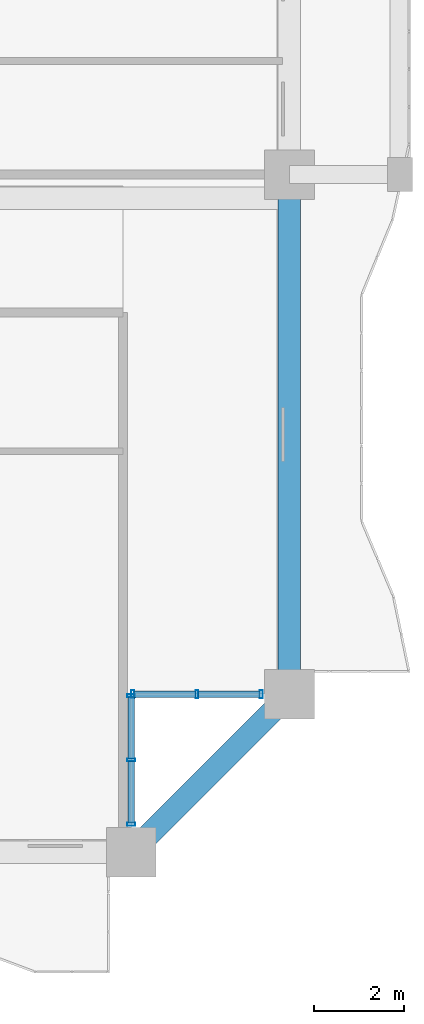
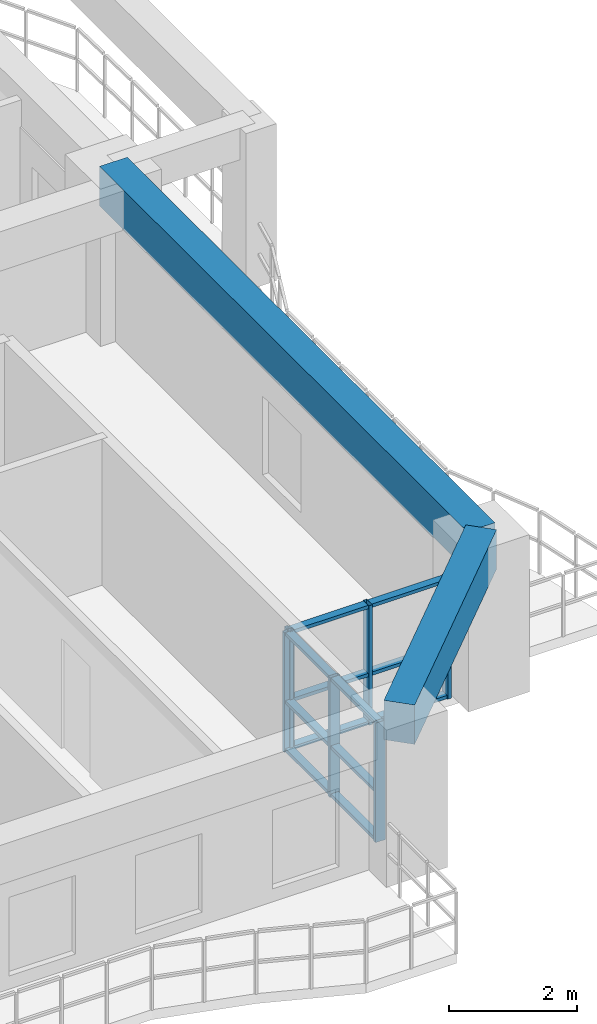
# One storey, part 4 of 28: 18 members, 2 beams, 2 elements without a shape of their own.
"""IFC4 building model written with IfcOpenShell, lengths in metres."""

from ifc_helpers import new_model, si_unit, direction, frame, origin, origin_2d, place, context, subcontext, project, spatial, rectangle, hollow_rectangle, extrude, source, transform, mapped, material, layer, layer_set, material_profile, profile_set, type_object, element, aggregate, save


model = new_model("IFC4")

# Units and contexts
model_context = context("Model", 3, precision=1e-05, world=origin(), true_north=direction((0.0, 1.0)))
body_context = subcontext(model_context, "Body", "Model", "MODEL_VIEW")
ifc_project = project(units=[si_unit("LENGTHUNIT", "METRE"), si_unit("AREAUNIT", "SQUARE_METRE"), si_unit("VOLUMEUNIT", "CUBIC_METRE"), si_unit("PLANEANGLEUNIT", "RADIAN"), si_unit("MASSUNIT", "GRAM", prefix="KILO")], contexts=[model_context])

# Site, building, storey
site_placement = place(None, origin())
site = spatial("IfcSite", under=ifc_project, at=site_placement, CompositionType="ELEMENT")
building_placement = place(site_placement, origin())
building = spatial("IfcBuilding", under=site, at=building_placement, Name="Saelheon Loggia Tower", CompositionType="ELEMENT")
storey_placement = place(building_placement, frame((0.0, 0.0, 25.39990234375)))
storey = spatial("IfcBuildingStorey", under=building, at=storey_placement, Name="L07", CompositionType="ELEMENT", Elevation=25.39990234375)

# Beams
ifc_material_1 = material(Name="Concrete C45/55", Category="concrete")
ifc_material_profile_1 = material_profile(ifc_material_1, rectangle(XDim=0.5, YDim=0.75, at=origin_2d()), Name="RC-500x750")
ifc_profile_set_1 = profile_set([ifc_material_profile_1], Name="Concrete C45/55")
beam_type = type_object("IfcBeamType", Name="Beam_PerimGirder_RC500x750", PredefinedType="BEAM", material=ifc_profile_set_1)
shared_shape_1 = source(origin(), body_context, "Body", "SweptSolid", [
    extrude(rectangle(XDim=0.5, YDim=0.75, at=origin_2d()), origin(), (0.0, 0.0, 1.0), 4.94970703125),
])
beam_1_placement = place(storey_placement, frame((60.5, 3.0, 2.625), z_axis=(0.707106781187, 0.707106781187, 0.0), x_axis=(-0.707106781187, 0.707106781187, 0.0)))
element("IfcBeam", 1, at=beam_1_placement, inside=storey, type_object=beam_type, Name="L07 Perimeter Frame Girder 04", PredefinedType="BEAM", context=body_context, shape_type="MappedRepresentation", body=[
    mapped(shared_shape_1, transform((0.0, 0.0, 0.0), scale=1.0)),
])
shared_shape_2 = source(origin(), body_context, "Body", "SweptSolid", [
    extrude(rectangle(XDim=0.5, YDim=0.75, at=origin_2d()), origin(), (0.0, 0.0, 1.0), 11.5),
])
beam_2_placement = place(storey_placement, frame((64.0, 6.5, 2.625), z_axis=(0.0, 1.0, 0.0), x_axis=(-1.0, 0.0, 0.0)))
element("IfcBeam", 2, at=beam_2_placement, inside=storey, type_object=beam_type, Name="L07 Perimeter Frame Girder 05", PredefinedType="BEAM", context=body_context, shape_type="MappedRepresentation", body=[
    mapped(shared_shape_2, transform((0.0, 0.0, 0.0), scale=1.0)),
])

# Curtain wall, members
ifc_material_2 = material(Name="Thermal-Break Aluminium and Triple Low-E Glass", Category="aluminium")
ifc_layer = layer(ifc_material_2, 0.159912109375)
ifc_layer_set = layer_set([ifc_layer], Name="Thermal-Break Aluminium and Triple Low-E Glass")
curtain_wall_type = type_object("IfcCurtainWallType", Name="CW_TowerLoggiaLow", PredefinedType="NOTDEFINED", material=ifc_layer_set)
curtain_wall_1_placement = place(storey_placement, origin())
curtain_wall_1 = element("IfcCurtainWall", 3, at=curtain_wall_1_placement, inside=storey, type_object=curtain_wall_type, Name="L07 Corner Notch Glazing SE1", PredefinedType="NOTDEFINED")
ifc_material_3 = material(Name="Anodised Aluminium 6063-T6", Category="aluminium")
ifc_material_profile_2 = material_profile(ifc_material_3, hollow_rectangle(XDim=0.06494140625, YDim=0.179931640625, WallThickness=0.00390625, at=origin_2d()), Name="RHS-180x65x4")
ifc_profile_set_2 = profile_set([ifc_material_profile_2], Name="Anodised Aluminium 6063-T6")
member_type_1 = type_object("IfcMemberType", Name="CW_TowerLoggiaLow_Mullion", PredefinedType="MULLION", material=ifc_profile_set_2)
shared_shape_3 = source(origin(), body_context, "Body", "SweptSolid", [
    extrude(hollow_rectangle(XDim=0.06494140625, YDim=0.179931640625, WallThickness=0.00390625, at=origin_2d()), origin(), (0.0, 0.0, 1.0), 2.280029296875),
])
member_1_placement = place(storey_placement, frame((60.5, 3.62255859375, 0.0), z_axis=(0.0, 0.0, 1.0), x_axis=(0.0, 1.0, 0.0)))
member_1 = element("IfcMember", 4, at=member_1_placement, type_object=member_type_1, Name="CW3 mullion 1", PredefinedType="MULLION", context=body_context, shape_type="MappedRepresentation", body=[
    mapped(shared_shape_3, transform((0.0, 0.0, 0.0), scale=1.0)),
])
member_2_placement = place(storey_placement, frame((60.5, 5.044921875, 0.0), z_axis=(0.0, 0.0, 1.0), x_axis=(0.0, 1.0, 0.0)))
member_2 = element("IfcMember", 5, at=member_2_placement, type_object=member_type_1, Name="CW3 mullion 2", PredefinedType="MULLION", context=body_context, shape_type="MappedRepresentation", body=[
    mapped(shared_shape_3, transform((0.0, 0.0, 0.0), scale=1.0)),
])
member_3_placement = place(storey_placement, frame((60.5, 6.467529296875, 0.0), z_axis=(0.0, 0.0, 1.0), x_axis=(0.0, 1.0, 0.0)))
member_3 = element("IfcMember", 6, at=member_3_placement, type_object=member_type_1, Name="CW3 mullion 3", PredefinedType="MULLION", context=body_context, shape_type="MappedRepresentation", body=[
    mapped(shared_shape_3, transform((0.0, 0.0, 0.0), scale=1.0)),
])

curtain_wall_2_placement = place(storey_placement, origin())
curtain_wall_2 = element("IfcCurtainWall", 7, at=curtain_wall_2_placement, inside=storey, type_object=curtain_wall_type, Name="L07 Corner Notch Glazing SE2", PredefinedType="NOTDEFINED")
member_4_placement = place(storey_placement, frame((60.532470703125, 6.5, 0.0), z_axis=(0.0, 0.0, 1.0), x_axis=(1.0, 0.0, 0.0)))
member_4 = element("IfcMember", 8, at=member_4_placement, type_object=member_type_1, Name="CW3 mullion 1", PredefinedType="MULLION", context=body_context, shape_type="MappedRepresentation", body=[
    mapped(shared_shape_3, transform((0.0, 0.0, 0.0), scale=1.0)),
])
member_5_placement = place(storey_placement, frame((61.955078125, 6.5, 0.0), z_axis=(0.0, 0.0, 1.0), x_axis=(1.0, 0.0, 0.0)))
member_5 = element("IfcMember", 9, at=member_5_placement, type_object=member_type_1, Name="CW3 mullion 2", PredefinedType="MULLION", context=body_context, shape_type="MappedRepresentation", body=[
    mapped(shared_shape_3, transform((0.0, 0.0, 0.0), scale=1.0)),
])
member_6_placement = place(storey_placement, frame((63.37744140625, 6.5, 0.0), z_axis=(0.0, 0.0, 1.0), x_axis=(1.0, 0.0, 0.0)))
member_6 = element("IfcMember", 10, at=member_6_placement, type_object=member_type_1, Name="CW3 mullion 3", PredefinedType="MULLION", context=body_context, shape_type="MappedRepresentation", body=[
    mapped(shared_shape_3, transform((0.0, 0.0, 0.0), scale=1.0)),
])

# Member
ifc_material_profile_3 = material_profile(ifc_material_3, hollow_rectangle(XDim=0.06494140625, YDim=0.139892578125, WallThickness=0.00390625, at=origin_2d()), Name="RHS-140x65x4")
ifc_profile_set_3 = profile_set([ifc_material_profile_3], Name="Anodised Aluminium 6063-T6")
member_type_2 = type_object("IfcMemberType", Name="CW_TowerLoggiaLow_Transom", PredefinedType="USERDEFINED", material=ifc_profile_set_3)
shared_shape_4 = source(origin(), body_context, "Body", "SweptSolid", [
    extrude(hollow_rectangle(XDim=0.06494140625, YDim=0.139892578125, WallThickness=0.00390625, at=origin_2d()), origin(), (0.0, 0.0, 1.0), 1.357421875),
])
member_7_placement = place(storey_placement, frame((60.5, 3.655029296875, 0.03271484375), z_axis=(0.0, 1.0, 0.0), x_axis=(0.0, 0.0, 1.0)))
member_7 = element("IfcMember", 11, at=member_7_placement, type_object=member_type_2, Name="CW3 transom 1.1", ObjectType="TRANSOM", PredefinedType="USERDEFINED", context=body_context, shape_type="MappedRepresentation", body=[
    mapped(shared_shape_4, transform((0.0, 0.0, 0.0), scale=1.0)),
])

member_8_placement = place(storey_placement, frame((60.5, 3.655029296875, 0.9501953125), z_axis=(0.0, 1.0, 0.0), x_axis=(0.0, 0.0, 1.0)))
member_8 = element("IfcMember", 12, at=member_8_placement, type_object=member_type_2, Name="CW3 transom 1.2", ObjectType="TRANSOM", PredefinedType="USERDEFINED", context=body_context, shape_type="MappedRepresentation", body=[
    mapped(shared_shape_4, transform((0.0, 0.0, 0.0), scale=1.0)),
])

member_9_placement = place(storey_placement, frame((60.5, 3.655029296875, 2.24755859375), z_axis=(0.0, 1.0, 0.0), x_axis=(0.0, 0.0, 1.0)))
member_9 = element("IfcMember", 13, at=member_9_placement, type_object=member_type_2, Name="CW3 transom 1.3", ObjectType="TRANSOM", PredefinedType="USERDEFINED", context=body_context, shape_type="MappedRepresentation", body=[
    mapped(shared_shape_4, transform((0.0, 0.0, 0.0), scale=1.0)),
])

member_10_placement = place(storey_placement, frame((61.987548828125, 6.5, 0.03271484375), z_axis=(1.0, 0.0, 0.0), x_axis=(0.0, 0.0, 1.0)))
member_10 = element("IfcMember", 14, at=member_10_placement, type_object=member_type_2, Name="CW3 transom 2.1", ObjectType="TRANSOM", PredefinedType="USERDEFINED", context=body_context, shape_type="MappedRepresentation", body=[
    mapped(shared_shape_4, transform((0.0, 0.0, 0.0), scale=1.0)),
])

member_11_placement = place(storey_placement, frame((61.987548828125, 6.5, 0.9501953125), z_axis=(1.0, 0.0, 0.0), x_axis=(0.0, 0.0, 1.0)))
member_11 = element("IfcMember", 15, at=member_11_placement, type_object=member_type_2, Name="CW3 transom 2.2", ObjectType="TRANSOM", PredefinedType="USERDEFINED", context=body_context, shape_type="MappedRepresentation", body=[
    mapped(shared_shape_4, transform((0.0, 0.0, 0.0), scale=1.0)),
])

member_12_placement = place(storey_placement, frame((61.987548828125, 6.5, 2.24755859375), z_axis=(1.0, 0.0, 0.0), x_axis=(0.0, 0.0, 1.0)))
member_12 = element("IfcMember", 16, at=member_12_placement, type_object=member_type_2, Name="CW3 transom 2.3", ObjectType="TRANSOM", PredefinedType="USERDEFINED", context=body_context, shape_type="MappedRepresentation", body=[
    mapped(shared_shape_4, transform((0.0, 0.0, 0.0), scale=1.0)),
])

shared_shape_5 = source(origin(), body_context, "Body", "SweptSolid", [
    extrude(hollow_rectangle(XDim=0.06494140625, YDim=0.139892578125, WallThickness=0.00390625, at=origin_2d()), origin(), (0.0, 0.0, 1.0), 1.357666015625),
])
member_13_placement = place(storey_placement, frame((60.5, 5.077392578125, 0.03271484375), z_axis=(0.0, 1.0, 0.0), x_axis=(0.0, 0.0, 1.0)))
member_13 = element("IfcMember", 17, at=member_13_placement, type_object=member_type_2, Name="CW3 transom 2.1", ObjectType="TRANSOM", PredefinedType="USERDEFINED", context=body_context, shape_type="MappedRepresentation", body=[
    mapped(shared_shape_5, transform((0.0, 0.0, 0.0), scale=1.0)),
])

member_14_placement = place(storey_placement, frame((60.5, 5.077392578125, 0.9501953125), z_axis=(0.0, 1.0, 0.0), x_axis=(0.0, 0.0, 1.0)))
member_14 = element("IfcMember", 18, at=member_14_placement, type_object=member_type_2, Name="CW3 transom 2.2", ObjectType="TRANSOM", PredefinedType="USERDEFINED", context=body_context, shape_type="MappedRepresentation", body=[
    mapped(shared_shape_5, transform((0.0, 0.0, 0.0), scale=1.0)),
])

member_15_placement = place(storey_placement, frame((60.5, 5.077392578125, 2.24755859375), z_axis=(0.0, 1.0, 0.0), x_axis=(0.0, 0.0, 1.0)))
member_15 = element("IfcMember", 19, at=member_15_placement, type_object=member_type_2, Name="CW3 transom 2.3", ObjectType="TRANSOM", PredefinedType="USERDEFINED", context=body_context, shape_type="MappedRepresentation", body=[
    mapped(shared_shape_5, transform((0.0, 0.0, 0.0), scale=1.0)),
])

aggregate(curtain_wall_1, [member_1, member_2, member_3, member_7, member_8, member_9, member_13, member_14, member_15])

member_16_placement = place(storey_placement, frame((60.56494140625, 6.5, 0.03271484375), z_axis=(1.0, 0.0, 0.0), x_axis=(0.0, 0.0, 1.0)))
member_16 = element("IfcMember", 20, at=member_16_placement, type_object=member_type_2, Name="CW3 transom 1.1", ObjectType="TRANSOM", PredefinedType="USERDEFINED", context=body_context, shape_type="MappedRepresentation", body=[
    mapped(shared_shape_5, transform((0.0, 0.0, 0.0), scale=1.0)),
])

member_17_placement = place(storey_placement, frame((60.56494140625, 6.5, 0.9501953125), z_axis=(1.0, 0.0, 0.0), x_axis=(0.0, 0.0, 1.0)))
member_17 = element("IfcMember", 21, at=member_17_placement, type_object=member_type_2, Name="CW3 transom 1.2", ObjectType="TRANSOM", PredefinedType="USERDEFINED", context=body_context, shape_type="MappedRepresentation", body=[
    mapped(shared_shape_5, transform((0.0, 0.0, 0.0), scale=1.0)),
])

member_18_placement = place(storey_placement, frame((60.56494140625, 6.5, 2.24755859375), z_axis=(1.0, 0.0, 0.0), x_axis=(0.0, 0.0, 1.0)))
member_18 = element("IfcMember", 22, at=member_18_placement, type_object=member_type_2, Name="CW3 transom 1.3", ObjectType="TRANSOM", PredefinedType="USERDEFINED", context=body_context, shape_type="MappedRepresentation", body=[
    mapped(shared_shape_5, transform((0.0, 0.0, 0.0), scale=1.0)),
])

aggregate(curtain_wall_2, [member_4, member_5, member_6, member_16, member_17, member_18, member_10, member_11, member_12])

save(model, "model.ifc")
